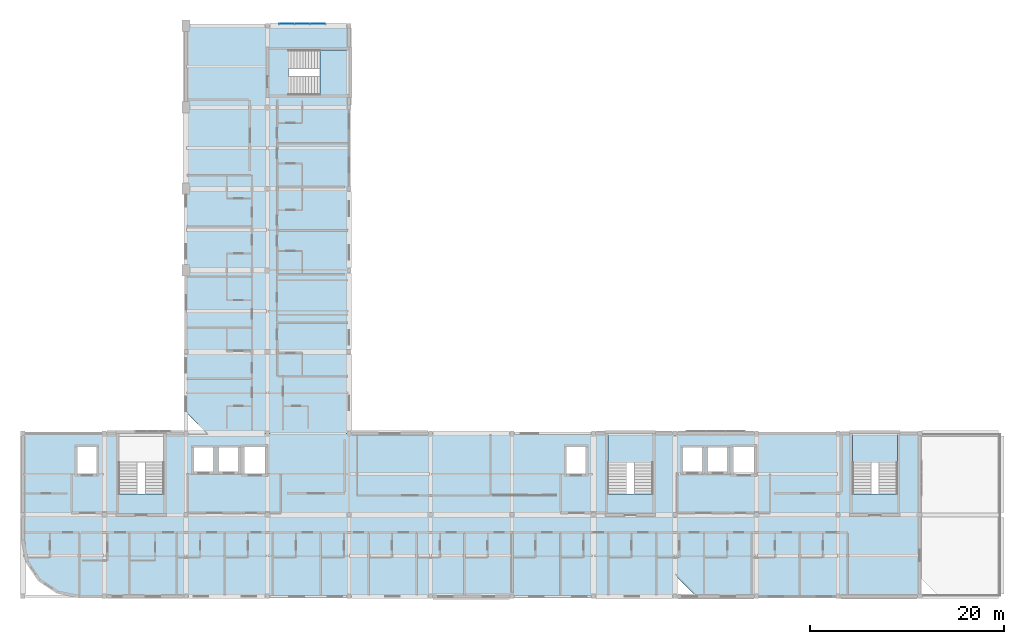
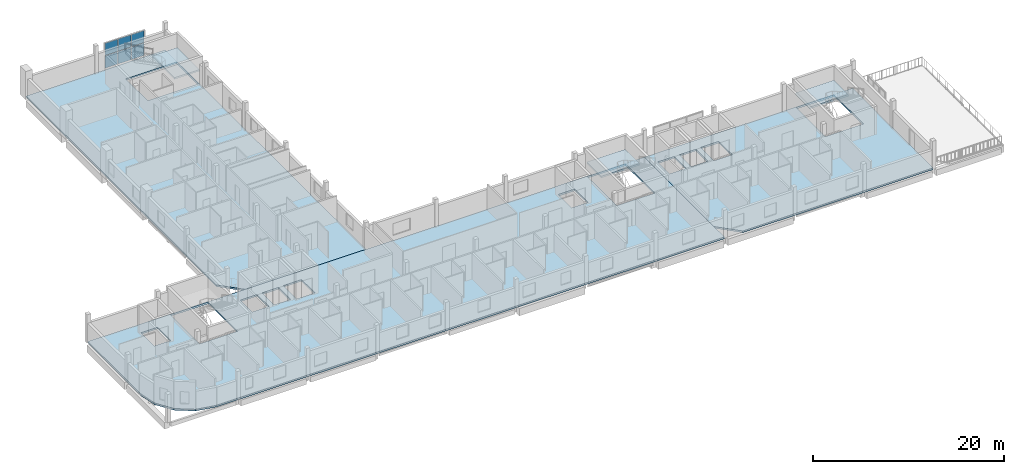
# One storey, part 7 of 19: 6 plates, 6 slabs, 4 elements without a shape of their own.
"""IFC4 building model written with IfcOpenShell, lengths in metres."""

from ifc_helpers import new_model, si_unit, derived_unit, direction, frame, origin, origin_2d, place, context, subcontext, project, spatial, polyline, rectangle, outline, extrude, material, layer, layer_set, type_object, element, aggregate, save


model = new_model("IFC4")

# Units and contexts
model_context = context("Model", 3, precision=1e-05, world=origin(), true_north=direction((0.0, 1.0)))
body_context = subcontext(model_context, "Body", "Model", "MODEL_VIEW")
ifc_project = project(units=[si_unit("LENGTHUNIT", "METRE"), si_unit("AREAUNIT", "SQUARE_METRE"), si_unit("VOLUMEUNIT", "CUBIC_METRE"), si_unit("PLANEANGLEUNIT", "RADIAN"), si_unit("MASSUNIT", "GRAM", prefix="KILO"), derived_unit("THERMALTRANSMITTANCEUNIT", [(si_unit("POWERUNIT", "WATT"), 1), (si_unit("LENGTHUNIT", "METRE"), -2), (si_unit("THERMODYNAMICTEMPERATUREUNIT", "KELVIN"), -1)])], contexts=[model_context])

# Site, building, storey
site_placement = place(None, origin())
site = spatial("IfcSite", under=ifc_project, at=site_placement, CompositionType="ELEMENT")
building_placement = place(site_placement, origin())
building = spatial("IfcBuilding", under=site, at=building_placement, Name="Barrovel Congress Hotel", CompositionType="ELEMENT")
storey_placement = place(building_placement, frame((0.0, 0.0, 43.5)))
storey = spatial("IfcBuildingStorey", under=building, at=storey_placement, Name="L11", CompositionType="ELEMENT", Elevation=43.5)

# Curtain wall, plates
ifc_material_1 = material(Name="Anodised Aluminium Alloy 6063-T6", Category="aluminium")
curtain_wall_type = type_object("IfcCurtainWallType", Name="CW-UN-4800x3200", PredefinedType="USERDEFINED", material=ifc_material_1)
curtain_wall_placement = place(storey_placement, origin())
curtain_wall = element("IfcCurtainWall", 1, at=curtain_wall_placement, inside=storey, type_object=curtain_wall_type, Name="CW:L11:UN-2", ObjectType="UNITISED CURTAIN WALL", PredefinedType="USERDEFINED")
ifc_material_2 = material(Name="Double Low-E Insulated Glazing", Category="glass")
ifc_layer_1 = layer(ifc_material_2, 0.028076171875)
ifc_layer_set_1 = layer_set([ifc_layer_1], Name="Double Low-E Insulated Glazing")
plate_type = type_object("IfcPlateType", Name="CWP-28", PredefinedType="CURTAIN_PANEL", material=ifc_layer_set_1)
plate_1_placement = place(storey_placement, frame((44.0, 63.219970703125, 0.030029296875), z_axis=(0.0, 0.0, 1.0), x_axis=(1.0, 0.0, 0.0)))
plate_1 = element("IfcPlate", 2, at=plate_1_placement, type_object=plate_type, Name="CW:L11:UN-2:P0-0", PredefinedType="CURTAIN_PANEL", context=body_context, shape_type="SweptSolid", body=[
    extrude(rectangle(XDim=1.5400390625, YDim=0.028076171875, at=origin_2d()), origin(), (0.0, 0.0, 1.0), 1.56494140625),
])
plate_2_placement = place(storey_placement, frame((44.0, 63.219970703125, 1.655029296875), z_axis=(0.0, 0.0, 1.0), x_axis=(1.0, 0.0, 0.0)))
plate_2 = element("IfcPlate", 3, at=plate_2_placement, type_object=plate_type, Name="CW:L11:UN-2:P0-1", PredefinedType="CURTAIN_PANEL", context=body_context, shape_type="SweptSolid", body=[
    extrude(rectangle(XDim=1.5400390625, YDim=0.028076171875, at=origin_2d()), origin(), (0.0, 0.0, 1.0), 1.56494140625),
])
plate_3_placement = place(storey_placement, frame((45.60009765625, 63.219970703125, 0.030029296875), z_axis=(0.0, 0.0, 1.0), x_axis=(1.0, 0.0, 0.0)))
plate_3 = element("IfcPlate", 4, at=plate_3_placement, type_object=plate_type, Name="CW:L11:UN-2:P1-0", PredefinedType="CURTAIN_PANEL", context=body_context, shape_type="SweptSolid", body=[
    extrude(rectangle(XDim=1.5400390625, YDim=0.028076171875, at=origin_2d()), origin(), (0.0, 0.0, 1.0), 1.56494140625),
])
plate_4_placement = place(storey_placement, frame((45.60009765625, 63.219970703125, 1.655029296875), z_axis=(0.0, 0.0, 1.0), x_axis=(1.0, 0.0, 0.0)))
plate_4 = element("IfcPlate", 5, at=plate_4_placement, type_object=plate_type, Name="CW:L11:UN-2:P1-1", PredefinedType="CURTAIN_PANEL", context=body_context, shape_type="SweptSolid", body=[
    extrude(rectangle(XDim=1.5400390625, YDim=0.028076171875, at=origin_2d()), origin(), (0.0, 0.0, 1.0), 1.56494140625),
])
plate_5_placement = place(storey_placement, frame((47.199951171875, 63.219970703125, 0.030029296875), z_axis=(0.0, 0.0, 1.0), x_axis=(1.0, 0.0, 0.0)))
plate_5 = element("IfcPlate", 6, at=plate_5_placement, type_object=plate_type, Name="CW:L11:UN-2:P2-0", PredefinedType="CURTAIN_PANEL", context=body_context, shape_type="SweptSolid", body=[
    extrude(rectangle(XDim=1.5400390625, YDim=0.028076171875, at=origin_2d()), origin(), (0.0, 0.0, 1.0), 1.56494140625),
])
plate_6_placement = place(storey_placement, frame((47.199951171875, 63.219970703125, 1.655029296875), z_axis=(0.0, 0.0, 1.0), x_axis=(1.0, 0.0, 0.0)))
plate_6 = element("IfcPlate", 7, at=plate_6_placement, type_object=plate_type, Name="CW:L11:UN-2:P2-1", PredefinedType="CURTAIN_PANEL", context=body_context, shape_type="SweptSolid", body=[
    extrude(rectangle(XDim=1.5400390625, YDim=0.028076171875, at=origin_2d()), origin(), (0.0, 0.0, 1.0), 1.56494140625),
])
aggregate(curtain_wall, [plate_1, plate_2, plate_3, plate_4, plate_5, plate_6])

# Slabs
ifc_material_3 = material(Name="Concrete C35", Category="concrete")
ifc_layer_2 = layer(ifc_material_3, 0.219970703125)
ifc_layer_set_2 = layer_set([ifc_layer_2], Name="Concrete C35")
slab_type_1 = type_object("IfcSlabType", Name="SL-F220", PredefinedType="FLOOR", material=ifc_layer_set_2)
slab_1_placement = place(storey_placement, frame((0.0, 0.0, -0.219970703125)))
element("IfcSlab", 8, at=slab_1_placement, inside=storey, type_object=slab_type_1, Name="SLAB:L11:HOT-S1", PredefinedType="FLOOR", context=body_context, shape_type="SweptSolid", body=[
    extrude(outline(polyline([(16.800048828125, 10.0), (17.241455078125, 7.780517578125), (18.498779296875, 5.898681640625), (20.38037109375, 4.6416015625), (22.60009765625, 4.199951171875), (84.0, 4.199951171875), (84.0, 21.0), (16.800048828125, 21.0), (16.800048828125, 10.0)]), holes=[polyline([(26.699951171875, 14.780029296875), (26.699951171875, 20.919921875), (31.300048828125, 20.919921875), (31.300048828125, 14.780029296875), (26.699951171875, 14.780029296875)]), polyline([(77.10009765625, 14.780029296875), (77.10009765625, 20.919921875), (81.699951171875, 20.919921875), (81.699951171875, 14.780029296875), (77.10009765625, 14.780029296875)]), polyline([(22.39990234375, 16.800048828125), (22.39990234375, 19.60009765625), (24.39990234375, 19.60009765625), (24.39990234375, 16.800048828125), (22.39990234375, 16.800048828125)]), polyline([(72.800048828125, 16.800048828125), (72.800048828125, 19.60009765625), (74.800048828125, 19.60009765625), (74.800048828125, 16.800048828125), (72.800048828125, 16.800048828125)]), polyline([(34.39990234375, 17.050048828125), (34.39990234375, 19.550048828125), (36.39990234375, 19.550048828125), (36.39990234375, 17.050048828125), (34.39990234375, 17.050048828125)]), polyline([(37.0, 17.050048828125), (37.0, 19.550048828125), (39.0, 19.550048828125), (39.0, 17.050048828125), (37.0, 17.050048828125)]), polyline([(39.60009765625, 16.800048828125), (39.60009765625, 19.60009765625), (41.800048828125, 19.60009765625), (41.800048828125, 16.800048828125), (39.60009765625, 16.800048828125)])]), origin(), (0.0, 0.0, 1.0), 0.219970703125),
])
slab_2_placement = place(storey_placement, frame((0.0, 0.0, -0.219970703125)))
element("IfcSlab", 9, at=slab_2_placement, inside=storey, type_object=slab_type_1, Name="SLAB:L11:HOT-S2", PredefinedType="FLOOR", context=body_context, shape_type="SweptSolid", body=[
    extrude(outline(polyline([(86.199951171875, 4.199951171875), (109.199951171875, 4.199951171875), (109.199951171875, 21.0), (84.0, 21.0), (84.0, 6.39990234375), (86.199951171875, 4.199951171875)]), holes=[polyline([(102.300048828125, 14.780029296875), (102.300048828125, 20.919921875), (106.89990234375, 20.919921875), (106.89990234375, 14.780029296875), (102.300048828125, 14.780029296875)]), polyline([(84.800048828125, 17.050048828125), (84.800048828125, 19.550048828125), (86.800048828125, 19.550048828125), (86.800048828125, 17.050048828125), (84.800048828125, 17.050048828125)]), polyline([(87.39990234375, 17.050048828125), (87.39990234375, 19.550048828125), (89.39990234375, 19.550048828125), (89.39990234375, 17.050048828125), (87.39990234375, 17.050048828125)]), polyline([(90.0, 16.800048828125), (90.0, 19.60009765625), (92.199951171875, 19.60009765625), (92.199951171875, 16.800048828125), (90.0, 16.800048828125)])]), origin(), (0.0, 0.0, 1.0), 0.219970703125),
])
slab_3_placement = place(storey_placement, frame((0.0, 0.0, -0.219970703125)))
element("IfcSlab", 10, at=slab_3_placement, inside=storey, type_object=slab_type_1, Name="SLAB:L11:HOT-W1", PredefinedType="FLOOR", context=body_context, shape_type="SweptSolid", body=[
    extrude(outline(polyline([(35.800048828125, 21.0), (50.39990234375, 21.0), (50.39990234375, 63.0), (33.60009765625, 63.0), (33.60009765625, 23.199951171875), (35.800048828125, 21.0)]), holes=[polyline([(44.179931640625, 55.89990234375), (44.179931640625, 60.5), (50.320068359375, 60.5), (50.320068359375, 55.89990234375), (44.179931640625, 55.89990234375)])]), origin(), (0.0, 0.0, 1.0), 0.219970703125),
])

# Stair, slab
ifc_material_4 = material(Name="Concrete C40", Category="concrete")
stair_type_1 = type_object("IfcStairType", Name="STR-HT-360", PredefinedType="HALF_TURN_STAIR", material=ifc_material_4)
stair_1_placement = place(storey_placement, origin())
stair_1 = element("IfcStair", 11, at=stair_1_placement, inside=storey, type_object=stair_type_1, Name="Exit Stair XS-02 (L11)", PredefinedType="HALF_TURN_STAIR")
ifc_layer_3 = layer(ifc_material_4, 0.2099609375)
ifc_layer_set_3 = layer_set([ifc_layer_3], Name="Concrete C40")
slab_type_2 = type_object("IfcSlabType", Name="SL-LDG-210", PredefinedType="LANDING", material=ifc_layer_set_3)
slab_4_placement = place(storey_placement, frame((0.0, 0.0, 1.590087890625)))
slab_4 = element("IfcSlab", 12, at=slab_4_placement, type_object=slab_type_2, Name="STAIR:XS-02:L11:LDG", PredefinedType="LANDING", context=body_context, shape_type="SweptSolid", body=[
    extrude(outline(polyline([(77.080078125, 18.010009765625), (81.719970703125, 18.010009765625), (81.719970703125, 21.02001953125), (77.080078125, 21.02001953125), (77.080078125, 18.010009765625)])), origin(), (0.0, 0.0, 1.0), 0.2099609375),
])
aggregate(stair_1, [slab_4])

stair_type_2 = type_object("IfcStairType", Name="STR-DR-360", PredefinedType="DOUBLE_RETURN_STAIR", material=ifc_material_4)
stair_2_placement = place(storey_placement, origin())
stair_2 = element("IfcStair", 13, at=stair_2_placement, inside=storey, type_object=stair_type_2, Name="Exit Stair XS-05 (L11)", PredefinedType="DOUBLE_RETURN_STAIR")
slab_5_placement = place(storey_placement, frame((0.0, 0.0, 1.590087890625)))
slab_5 = element("IfcSlab", 14, at=slab_5_placement, type_object=slab_type_2, Name="STAIR:XS-05:L11:LDG", PredefinedType="LANDING", context=body_context, shape_type="SweptSolid", body=[
    extrude(outline(polyline([(47.409912109375, 55.8798828125), (50.419921875, 55.8798828125), (50.419921875, 60.52001953125), (47.409912109375, 60.52001953125), (47.409912109375, 55.8798828125)])), origin(), (0.0, 0.0, 1.0), 0.2099609375),
])
aggregate(stair_2, [slab_5])

stair_3_placement = place(storey_placement, origin())
stair_3 = element("IfcStair", 15, at=stair_3_placement, inside=storey, type_object=stair_type_1, Name="Exit Stair XS-03 (L11)", PredefinedType="HALF_TURN_STAIR")
ifc_layer_4 = layer(ifc_material_4, 0.22998046875)
ifc_layer_set_4 = layer_set([ifc_layer_4], Name="Concrete C40")
slab_type_3 = type_object("IfcSlabType", Name="SL-LDG-230", PredefinedType="LANDING", material=ifc_layer_set_4)
slab_6_placement = place(storey_placement, frame((0.0, 0.0, 1.570068359375)))
slab_6 = element("IfcSlab", 16, at=slab_6_placement, type_object=slab_type_3, Name="STAIR:XS-03:L11:LDG", PredefinedType="LANDING", context=body_context, shape_type="SweptSolid", body=[
    extrude(outline(polyline([(102.280029296875, 18.010009765625), (106.919921875, 18.010009765625), (106.919921875, 21.02001953125), (102.280029296875, 21.02001953125), (102.280029296875, 18.010009765625)])), origin(), (0.0, 0.0, 1.0), 0.22998046875),
])
aggregate(stair_3, [slab_6])

save(model, "model.ifc")
